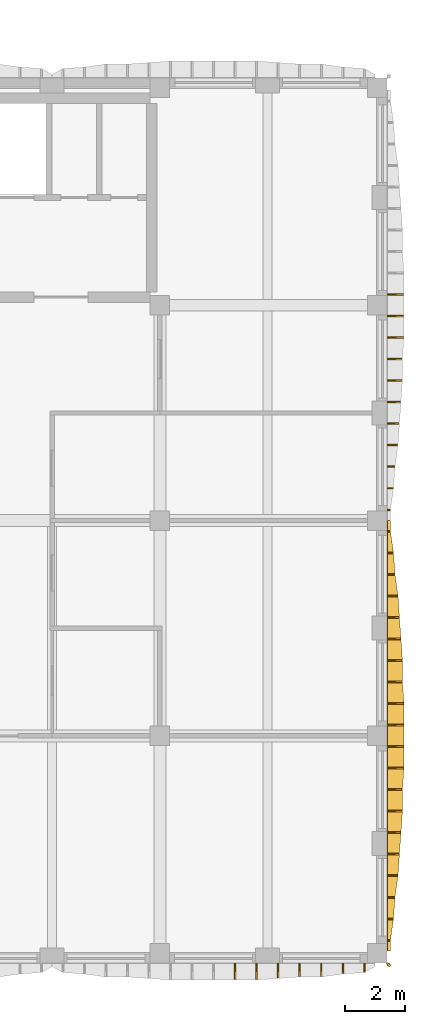
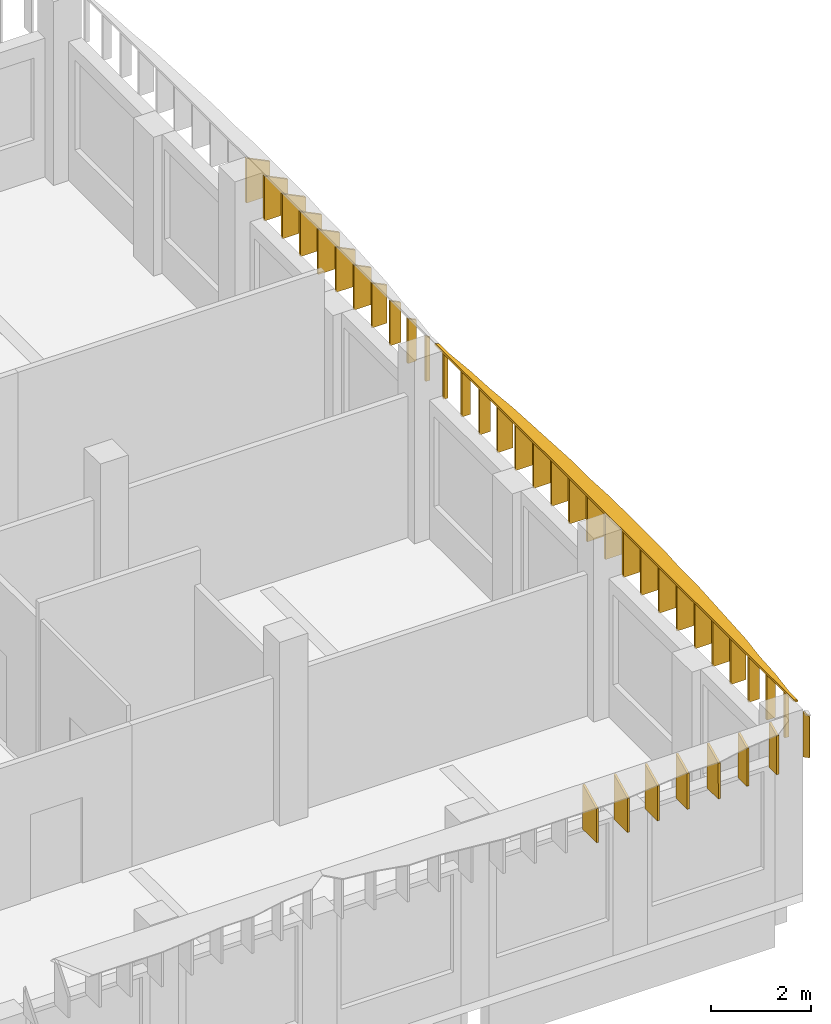
# One storey, part 16 of 24: 40 shading devices.
"""IFC4 building model written with IfcOpenShell, lengths in metres."""

from ifc_helpers import new_model, si_unit, direction, frame, origin, place, context, subcontext, project, spatial, polyline, outline, extrude, material, layer, layer_set, type_object, element, save


model = new_model("IFC4")

# Units and contexts
model_context = context("Model", 3, precision=1e-05, world=origin(), true_north=direction((0.0, 1.0)))
body_context = subcontext(model_context, "Body", "Model", "MODEL_VIEW")
ifc_project = project(units=[si_unit("LENGTHUNIT", "METRE"), si_unit("AREAUNIT", "SQUARE_METRE"), si_unit("VOLUMEUNIT", "CUBIC_METRE"), si_unit("PLANEANGLEUNIT", "RADIAN"), si_unit("MASSUNIT", "GRAM", prefix="KILO")], contexts=[model_context])

# Site, building, storey
site_placement = place(None, origin())
site = spatial("IfcSite", under=ifc_project, at=site_placement, CompositionType="ELEMENT")
building_placement = place(site_placement, origin())
building = spatial("IfcBuilding", under=site, at=building_placement, Name="Ussher Court Research Institute", CompositionType="ELEMENT")
storey_placement = place(building_placement, frame((0.0, 0.0, 32.39990234375)))
storey = spatial("IfcBuildingStorey", under=building, at=storey_placement, Name="L07", CompositionType="ELEMENT", Elevation=32.39990234375)

# Shading devices
ifc_material_1 = material(Name="Bronze anodised aluminium", Category="aluminium")
ifc_layer_1 = layer(ifc_material_1, 0.050048828125)
ifc_layer_set_1 = layer_set([ifc_layer_1], Name="Bronze anodised aluminium")
shading_device_type_1 = type_object("IfcShadingDeviceType", Name="Brim blade 100 mm deep 1100 mm high canted 26 deg wet", PredefinedType="USERDEFINED", material=ifc_layer_set_1)
for number, where, z_axis, x_axis, name in (
    (1, (104.199951171875, 18.760009765625, 3.35009765625), (0.0, 0.0, 1.0), (1.0, 0.0, 0.0), "Brim blade BS10 L07"),
    (2, (104.199951171875, 18.0400390625, 3.35009765625), (0.0, 0.0, 1.0), (1.0, 0.0, 0.0), "Brim blade BS10 L07"),
    (3, (104.199951171875, 4.360107421875, 3.35009765625), (0.0, 0.0, 1.0), (1.0, 0.0, 0.0), "Brim blade BS10 L07"),
):
    element("IfcShadingDevice", number, at=place(storey_placement, frame(where, z_axis=z_axis, x_axis=x_axis)), inside=storey, type_object=shading_device_type_1, Name=name, ObjectType="BLADE", PredefinedType="USERDEFINED", context=body_context, shape_type="SweptSolid", body=[
        extrude(outline(polyline([(0.0, 0.0), (0.10009765625, 0.0), (0.10009765625, 1.05126953125), (0.0, 1.10009765625), (0.0, 0.0)])), frame((0.0, 0.02490234375, 0.0), z_axis=(0.0, -1.0, 0.0), x_axis=(1.0, 0.0, 0.0)), (0.0, 0.0, 1.0), 0.050048828125),
    ])
ifc_material_2 = material(Name="Bronze anodised aluminium", Category="aluminium")
ifc_layer_2 = layer(ifc_material_2, 0.050048828125)
ifc_layer_set_2 = layer_set([ifc_layer_2], Name="Bronze anodised aluminium")
shading_device_type_2 = type_object("IfcShadingDeviceType", Name="Brim blade 200 mm deep 1100 mm high canted 26 deg wet", PredefinedType="USERDEFINED", material=ifc_layer_set_2)
for number, where, z_axis, x_axis, name in (
    (4, (104.199951171875, 19.47998046875, 3.35009765625), (0.0, 0.0, 1.0), (1.0, 0.0, 0.0), "Brim blade BS08 L07"),
    (5, (104.199951171875, 17.320068359375, 3.35009765625), (0.0, 0.0, 1.0), (1.0, 0.0, 0.0), "Brim blade BS08 L07"),
    (6, (104.199951171875, 5.080078125, 3.35009765625), (0.0, 0.0, 1.0), (1.0, 0.0, 0.0), "Brim blade BS08 L07"),
):
    element("IfcShadingDevice", number, at=place(storey_placement, frame(where, z_axis=z_axis, x_axis=x_axis)), inside=storey, type_object=shading_device_type_2, Name=name, ObjectType="BLADE", PredefinedType="USERDEFINED", context=body_context, shape_type="SweptSolid", body=[
        extrude(outline(polyline([(0.0, 0.0), (0.199951171875, 0.0), (0.199951171875, 1.00244140625), (0.0, 1.10009765625), (0.0, 0.0)])), frame((0.0, 0.02490234375, 0.0), z_axis=(0.0, -1.0, 0.0), x_axis=(1.0, 0.0, 0.0)), (0.0, 0.0, 1.0), 0.050048828125),
    ])
ifc_material_3 = material(Name="Bronze anodised aluminium", Category="aluminium")
ifc_layer_3 = layer(ifc_material_3, 0.050048828125)
ifc_layer_set_3 = layer_set([ifc_layer_3], Name="Bronze anodised aluminium")
shading_device_type_3 = type_object("IfcShadingDeviceType", Name="Brim blade 250 mm deep 1100 mm high canted 26 deg wet", PredefinedType="USERDEFINED", material=ifc_layer_set_3)
for number, where, z_axis, x_axis, name in (
    (7, (104.199951171875, 20.199951171875, 3.35009765625), (0.0, 0.0, 1.0), (1.0, 0.0, 0.0), "Brim blade BS07 L07"),
    (8, (104.199951171875, 16.60009765625, 3.35009765625), (0.0, 0.0, 1.0), (1.0, 0.0, 0.0), "Brim blade BS07 L07"),
    (9, (104.199951171875, 5.800048828125, 3.35009765625), (0.0, 0.0, 1.0), (1.0, 0.0, 0.0), "Brim blade BS07 L07"),
):
    element("IfcShadingDevice", number, at=place(storey_placement, frame(where, z_axis=z_axis, x_axis=x_axis)), inside=storey, type_object=shading_device_type_3, Name=name, ObjectType="BLADE", PredefinedType="USERDEFINED", context=body_context, shape_type="SweptSolid", body=[
        extrude(outline(polyline([(0.0, 0.0), (0.25, 0.0), (0.25, 0.97802734375), (0.0, 1.10009765625), (0.0, 0.0)])), frame((0.0, 0.02490234375, 0.0), z_axis=(0.0, -1.0, 0.0), x_axis=(1.0, 0.0, 0.0)), (0.0, 0.0, 1.0), 0.050048828125),
    ])
ifc_material_4 = material(Name="Bronze anodised aluminium", Category="aluminium")
ifc_layer_4 = layer(ifc_material_4, 0.050048828125)
ifc_layer_set_4 = layer_set([ifc_layer_4], Name="Bronze anodised aluminium")
shading_device_type_4 = type_object("IfcShadingDeviceType", Name="Brim blade 300 mm deep 1100 mm high canted 26 deg wet", PredefinedType="USERDEFINED", material=ifc_layer_set_4)
shading_device_1_placement = place(storey_placement, frame((103.43994140625, 3.60009765625, 3.35009765625), z_axis=(0.0, 0.0, 1.0), x_axis=(0.0, -1.0, 0.0)))
element("IfcShadingDevice", 10, at=shading_device_1_placement, inside=storey, type_object=shading_device_type_4, Name="Brim blade BS06 L07", ObjectType="BLADE", PredefinedType="USERDEFINED", context=body_context, shape_type="SweptSolid", body=[
    extrude(outline(polyline([(0.0, 0.0), (0.300048828125, 0.0), (0.300048828125, 0.95361328125), (0.0, 1.10009765625), (0.0, 0.0)])), frame((0.0, 0.02490234375, 0.0), z_axis=(0.0, -1.0, 0.0), x_axis=(1.0, 0.0, 0.0)), (0.0, 0.0, 1.0), 0.050048828125),
])
ifc_material_5 = material(Name="Bronze anodised aluminium", Category="aluminium")
ifc_layer_5 = layer(ifc_material_5, 0.050048828125)
ifc_layer_set_5 = layer_set([ifc_layer_5], Name="Bronze anodised aluminium")
shading_device_type_5 = type_object("IfcShadingDeviceType", Name="Brim blade 350 mm deep 1100 mm high canted 26 deg wet", PredefinedType="USERDEFINED", material=ifc_layer_set_5)
for number, where, z_axis, x_axis, name in (
    (11, (104.199951171875, 20.919921875, 3.35009765625), (0.0, 0.0, 1.0), (1.0, 0.0, 0.0), "Brim blade BS05 L07"),
    (12, (104.199951171875, 15.8798828125, 3.35009765625), (0.0, 0.0, 1.0), (1.0, 0.0, 0.0), "Brim blade BS05 L07"),
    (13, (104.199951171875, 6.52001953125, 3.35009765625), (0.0, 0.0, 1.0), (1.0, 0.0, 0.0), "Brim blade BS05 L07"),
    (14, (102.719970703125, 3.60009765625, 3.35009765625), (0.0, 0.0, 1.0), (0.0, -1.0, 0.0), "Brim blade BS05 L07"),
):
    element("IfcShadingDevice", number, at=place(storey_placement, frame(where, z_axis=z_axis, x_axis=x_axis)), inside=storey, type_object=shading_device_type_5, Name=name, ObjectType="BLADE", PredefinedType="USERDEFINED", context=body_context, shape_type="SweptSolid", body=[
        extrude(outline(polyline([(0.0, 0.0), (0.35009765625, 0.0), (0.35009765625, 0.92919921875), (0.0, 1.10009765625), (0.0, 0.0)])), frame((0.0, 0.02490234375, 0.0), z_axis=(0.0, -1.0, 0.0), x_axis=(1.0, 0.0, 0.0)), (0.0, 0.0, 1.0), 0.050048828125),
    ])
ifc_material_6 = material(Name="Bronze anodised aluminium", Category="aluminium")
ifc_layer_6 = layer(ifc_material_6, 0.050048828125)
ifc_layer_set_6 = layer_set([ifc_layer_6], Name="Bronze anodised aluminium")
shading_device_type_6 = type_object("IfcShadingDeviceType", Name="Brim blade 400 mm deep 1100 mm high canted 26 deg wet", PredefinedType="USERDEFINED", material=ifc_layer_set_6)
for number, where, z_axis, x_axis, name in (
    (15, (104.199951171875, 21.639892578125, 3.35009765625), (0.0, 0.0, 1.0), (1.0, 0.0, 0.0), "Brim blade BS04 L07"),
    (16, (104.199951171875, 15.159912109375, 3.35009765625), (0.0, 0.0, 1.0), (1.0, 0.0, 0.0), "Brim blade BS04 L07"),
    (17, (104.199951171875, 7.239990234375, 3.35009765625), (0.0, 0.0, 1.0), (1.0, 0.0, 0.0), "Brim blade BS04 L07"),
):
    element("IfcShadingDevice", number, at=place(storey_placement, frame(where, z_axis=z_axis, x_axis=x_axis)), inside=storey, type_object=shading_device_type_6, Name=name, ObjectType="BLADE", PredefinedType="USERDEFINED", context=body_context, shape_type="SweptSolid", body=[
        extrude(outline(polyline([(0.0, 0.0), (0.400146484375, 0.0), (0.39990234375, 0.90478515625), (0.0, 1.10009765625), (0.0, 0.0)])), frame((0.0, 0.02490234375, 0.0), z_axis=(0.0, -1.0, 0.0), x_axis=(1.0, 0.0, 0.0)), (0.0, 0.0, 1.0), 0.050048828125),
    ])
ifc_material_7 = material(Name="Bronze anodised aluminium", Category="aluminium")
ifc_layer_7 = layer(ifc_material_7, 0.050048828125)
ifc_layer_set_7 = layer_set([ifc_layer_7], Name="Bronze anodised aluminium")
shading_device_type_7 = type_object("IfcShadingDeviceType", Name="Brim blade 450 mm deep 1100 mm high canted 26 deg wet", PredefinedType="USERDEFINED", material=ifc_layer_set_7)
for number, where, z_axis, x_axis, name in (
    (18, (104.199951171875, 22.360107421875, 3.35009765625), (0.0, 0.0, 1.0), (1.0, 0.0, 0.0), "Brim blade BS03 L07"),
    (19, (104.199951171875, 14.43994140625, 3.35009765625), (0.0, 0.0, 1.0), (1.0, 0.0, 0.0), "Brim blade BS03 L07"),
    (20, (104.199951171875, 7.9599609375, 3.35009765625), (0.0, 0.0, 1.0), (1.0, 0.0, 0.0), "Brim blade BS03 L07"),
):
    element("IfcShadingDevice", number, at=place(storey_placement, frame(where, z_axis=z_axis, x_axis=x_axis)), inside=storey, type_object=shading_device_type_7, Name=name, ObjectType="BLADE", PredefinedType="USERDEFINED", context=body_context, shape_type="SweptSolid", body=[
        extrude(outline(polyline([(0.0, 0.0), (0.449951171875, 0.0), (0.449951171875, 0.880615234375), (0.0, 1.10009765625), (0.0, 0.0)])), frame((0.0, 0.02490234375, 0.0), z_axis=(0.0, -1.0, 0.0), x_axis=(1.0, 0.0, 0.0)), (0.0, 0.0, 1.0), 0.050048828125),
    ])
for number, where, z_axis, x_axis, name in (
    (21, (102.0, 3.60009765625, 3.35009765625), (0.0, 0.0, 1.0), (0.0, -1.0, 0.0), "Brim blade BS03 L07"),
    (22, (101.280029296875, 3.60009765625, 3.35009765625), (0.0, 0.0, 1.0), (0.0, -1.0, 0.0), "Brim blade BS03 L07"),
):
    element("IfcShadingDevice", number, at=place(storey_placement, frame(where, z_axis=z_axis, x_axis=x_axis)), inside=storey, type_object=shading_device_type_7, Name=name, ObjectType="BLADE", PredefinedType="USERDEFINED", context=body_context, shape_type="SweptSolid", body=[
        extrude(outline(polyline([(0.0, 0.0), (0.4501953125, 0.0), (0.449951171875, 0.880615234375), (0.0, 1.10009765625), (0.0, 0.0)])), frame((0.0, 0.02490234375, 0.0), z_axis=(0.0, -1.0, 0.0), x_axis=(1.0, 0.0, 0.0)), (0.0, 0.0, 1.0), 0.050048828125),
    ])
ifc_material_8 = material(Name="Bronze anodised aluminium", Category="aluminium")
ifc_layer_8 = layer(ifc_material_8, 0.050048828125)
ifc_layer_set_8 = layer_set([ifc_layer_8], Name="Bronze anodised aluminium")
shading_device_type_8 = type_object("IfcShadingDeviceType", Name="Brim blade 500 mm deep 1100 mm high canted 26 deg wet", PredefinedType="USERDEFINED", material=ifc_layer_set_8)
for number, where, z_axis, x_axis, name in (
    (23, (104.199951171875, 23.800048828125, 3.35009765625), (0.0, 0.0, 1.0), (1.0, 0.0, 0.0), "Brim blade BS02 L07"),
    (24, (104.199951171875, 23.080078125, 3.35009765625), (0.0, 0.0, 1.0), (1.0, 0.0, 0.0), "Brim blade BS02 L07"),
    (25, (104.199951171875, 13.719970703125, 3.35009765625), (0.0, 0.0, 1.0), (1.0, 0.0, 0.0), "Brim blade BS02 L07"),
    (26, (104.199951171875, 13.0, 3.35009765625), (0.0, 0.0, 1.0), (1.0, 0.0, 0.0), "Brim blade BS02 L07"),
    (27, (104.199951171875, 9.39990234375, 3.35009765625), (0.0, 0.0, 1.0), (1.0, 0.0, 0.0), "Brim blade BS02 L07"),
    (28, (104.199951171875, 8.679931640625, 3.35009765625), (0.0, 0.0, 1.0), (1.0, 0.0, 0.0), "Brim blade BS02 L07"),
    (29, (100.56005859375, 3.60009765625, 3.35009765625), (0.0, 0.0, 1.0), (0.0, -1.0, 0.0), "Brim blade BS02 L07"),
):
    element("IfcShadingDevice", number, at=place(storey_placement, frame(where, z_axis=z_axis, x_axis=x_axis)), inside=storey, type_object=shading_device_type_8, Name=name, ObjectType="BLADE", PredefinedType="USERDEFINED", context=body_context, shape_type="SweptSolid", body=[
        extrude(outline(polyline([(0.0, 0.0), (0.5, 0.0), (0.5, 0.856201171875), (0.0, 1.10009765625), (0.0, 0.0)])), frame((0.0, 0.02490234375, 0.0), z_axis=(0.0, -1.0, 0.0), x_axis=(1.0, 0.0, 0.0)), (0.0, 0.0, 1.0), 0.050048828125),
    ])
ifc_material_9 = material(Name="Bronze anodised aluminium", Category="aluminium")
ifc_layer_9 = layer(ifc_material_9, 0.050048828125)
ifc_layer_set_9 = layer_set([ifc_layer_9], Name="Bronze anodised aluminium")
shading_device_type_9 = type_object("IfcShadingDeviceType", Name="Brim blade 550 mm deep 1100 mm high canted 26 deg wet", PredefinedType="USERDEFINED", material=ifc_layer_set_9)
for number, where, z_axis, x_axis, name in (
    (30, (104.199951171875, 25.9599609375, 3.35009765625), (0.0, 0.0, 1.0), (1.0, 0.0, 0.0), "Brim blade BS01 L07"),
    (31, (104.199951171875, 25.239990234375, 3.35009765625), (0.0, 0.0, 1.0), (1.0, 0.0, 0.0), "Brim blade BS01 L07"),
    (32, (104.199951171875, 24.52001953125, 3.35009765625), (0.0, 0.0, 1.0), (1.0, 0.0, 0.0), "Brim blade BS01 L07"),
    (33, (104.199951171875, 12.280029296875, 3.35009765625), (0.0, 0.0, 1.0), (1.0, 0.0, 0.0), "Brim blade BS01 L07"),
    (34, (104.199951171875, 11.56005859375, 3.35009765625), (0.0, 0.0, 1.0), (1.0, 0.0, 0.0), "Brim blade BS01 L07"),
    (35, (104.199951171875, 10.840087890625, 3.35009765625), (0.0, 0.0, 1.0), (1.0, 0.0, 0.0), "Brim blade BS01 L07"),
    (36, (104.199951171875, 10.1201171875, 3.35009765625), (0.0, 0.0, 1.0), (1.0, 0.0, 0.0), "Brim blade BS01 L07"),
    (37, (99.840087890625, 3.60009765625, 3.35009765625), (0.0, 0.0, 1.0), (0.0, -1.0, 0.0), "Brim blade BS01 L07"),
    (38, (99.1201171875, 3.60009765625, 3.35009765625), (0.0, 0.0, 1.0), (0.0, -1.0, 0.0), "Brim blade BS01 L07"),
):
    element("IfcShadingDevice", number, at=place(storey_placement, frame(where, z_axis=z_axis, x_axis=x_axis)), inside=storey, type_object=shading_device_type_9, Name=name, ObjectType="BLADE", PredefinedType="USERDEFINED", context=body_context, shape_type="SweptSolid", body=[
        extrude(outline(polyline([(0.0, 0.0), (0.550048828125, 0.0), (0.550048828125, 0.831787109375), (0.0, 1.10009765625), (0.0, 0.0)])), frame((0.0, 0.02490234375, 0.0), z_axis=(0.0, -1.0, 0.0), x_axis=(1.0, 0.0, 0.0)), (0.0, 0.0, 1.0), 0.050048828125),
    ])
ifc_material_10 = material(Name="Bronze anodised aluminium", Category="aluminium")
ifc_layer_10 = layer(ifc_material_10, 0.050048828125)
ifc_layer_set_10 = layer_set([ifc_layer_10], Name="Bronze anodised aluminium")
shading_device_type_10 = type_object("IfcShadingDeviceType", Name="Brim mitre blade 100 mm deep 1100 mm high canted 26 deg wet", PredefinedType="USERDEFINED", material=ifc_layer_set_10)
shading_device_2_placement = place(storey_placement, frame((104.199951171875, 3.60009765625, 3.35009765625), z_axis=(0.0, 0.0, 1.0), x_axis=(0.707106781187, -0.707106781187, 0.0)))
element("IfcShadingDevice", 39, at=shading_device_2_placement, inside=storey, type_object=shading_device_type_10, Name="Brim mitre blade BS18 L07", ObjectType="BLADE", PredefinedType="USERDEFINED", context=body_context, shape_type="SweptSolid", body=[
    extrude(outline(polyline([(0.0, 0.0), (0.1416015625, 0.0), (0.141357421875, 1.00244140625), (0.0, 1.10009765625), (0.0, 0.0)])), frame((0.0, 0.02490234375, 0.0), z_axis=(0.0, -1.0, 0.0), x_axis=(1.0, 0.0, 0.0)), (0.0, 0.0, 1.0), 0.050048828125),
])
ifc_material_11 = material(Name="Bronze anodised aluminium", Category="aluminium")
ifc_layer_11 = layer(ifc_material_11, 0.0400390625)
ifc_layer_set_11 = layer_set([ifc_layer_11], Name="Bronze anodised aluminium")
shading_device_type_11 = type_object("IfcShadingDeviceType", Name="Brim visor sheet 40 mm canted 26 deg wet", PredefinedType="USERDEFINED", material=ifc_layer_set_11)
shading_device_3_placement = place(storey_placement, frame((104.217529296875, 18.39990234375, 4.486083984375), z_axis=(0.438529187419, 0.0, 0.898716947532), x_axis=(0.0, -1.0, 0.0)))
element("IfcShadingDevice", 40, at=shading_device_3_placement, inside=storey, type_object=shading_device_type_11, Name="Brim visor sheet BR1 L07", ObjectType="BRIM", PredefinedType="USERDEFINED", context=body_context, shape_type="SweptSolid", body=[
    extrude(outline(polyline([(0.0, 0.0), (14.39990234375, 0.0), (14.39990234375, 0.11115260474230423), (14.039794921875, 0.11115260474230423), (13.31982421875, 0.22252462280187707), (12.599853515625, 0.2782106318316635), (11.8798828125, 0.38936323657396776), (11.159912109375, 0.4449421828138569), (10.43994140625, 0.5006281918436433), (9.719970703125, 0.5563142008734296), (9.0, 0.5563142008734296), (8.27978515625, 0.6120002099032161), (7.559814453125, 0.6120002099032161), (6.83984375, 0.6120002099032161), (6.119873046875, 0.6120002099032161), (5.39990234375, 0.5563142008734296), (4.679931640625, 0.5563142008734296), (3.9599609375, 0.5006281918436433), (3.239990234375, 0.4449421828138569), (2.52001953125, 0.38936323657396776), (1.7998046875, 0.2782106318316635), (1.079833984375, 0.22252462280187707), (0.35986328125, 0.11115260474230423), (0.0, 0.11115260474230423), (0.0, 0.0)])), origin(), (0.0, 0.0, -1.0), 0.0400390625),
])

save(model, "model.ifc")
